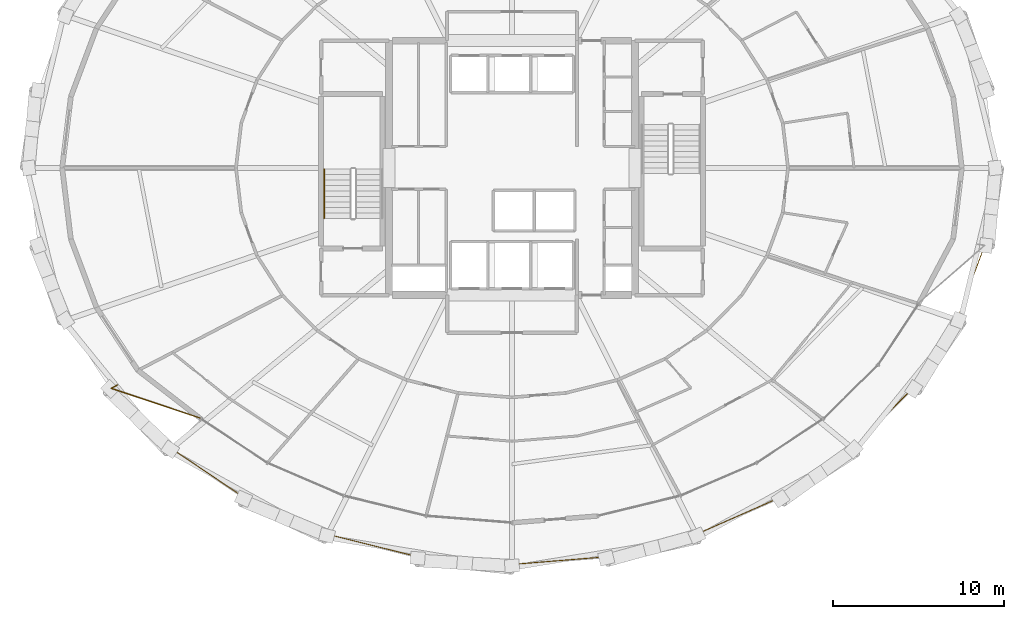
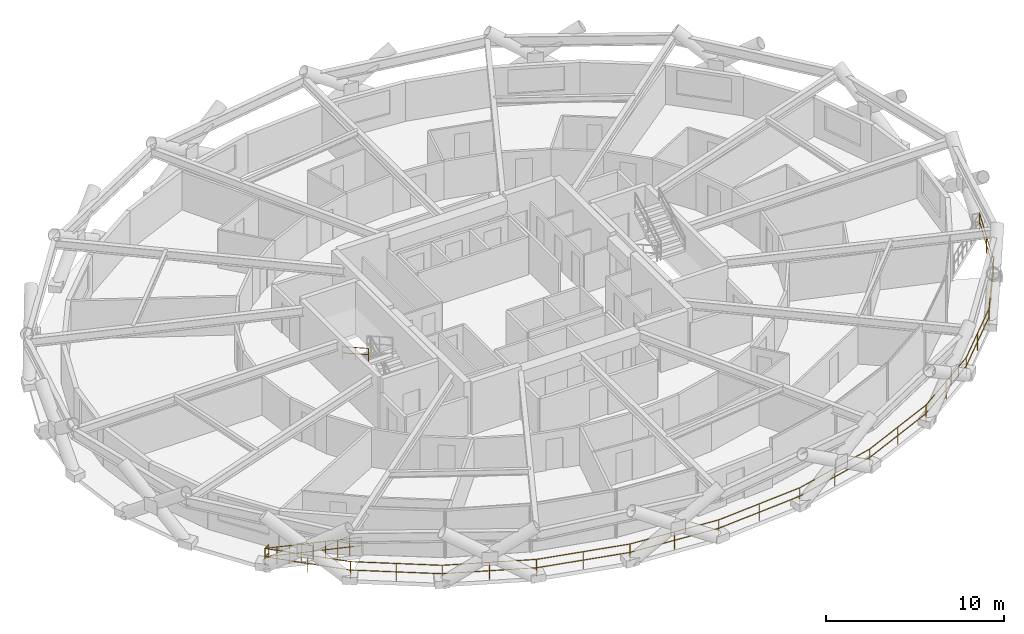
# One storey, part 19 of 20: 3 railings.
"""IFC4 building model written with IfcOpenShell, lengths in metres."""

from ifc_helpers import new_model, si_unit, direction, frame, origin, origin_2d, place, context, subcontext, project, spatial, circle, extrude, material, type_object, element, save


model = new_model("IFC4")

# Units and contexts
model_context = context("Model", 3, precision=1e-05, world=origin(), true_north=direction((0.0, 1.0)))
body_context = subcontext(model_context, "Body", "Model", "MODEL_VIEW")
ifc_project = project(units=[si_unit("LENGTHUNIT", "METRE"), si_unit("AREAUNIT", "SQUARE_METRE"), si_unit("VOLUMEUNIT", "CUBIC_METRE"), si_unit("PLANEANGLEUNIT", "RADIAN"), si_unit("MASSUNIT", "GRAM", prefix="KILO")], contexts=[model_context])

# Site, building, storey
site_placement = place(None, origin())
site = spatial("IfcSite", under=ifc_project, at=site_placement, CompositionType="ELEMENT")
building_placement = place(site_placement, origin())
building = spatial("IfcBuilding", under=site, at=building_placement, Name="Veldorina Hangang Commons", CompositionType="ELEMENT")
storey_placement = place(building_placement, frame((0.0, 0.0, 48.39990234375)))
storey = spatial("IfcBuildingStorey", under=building, at=storey_placement, Name="L11", CompositionType="ELEMENT", Elevation=48.39990234375)

# Railings
ifc_material_1 = material(Name="Glass Laminated Safety Balustrade", Category="glass")
railing_type_1 = type_object("IfcRailingType", Name="RL-BAL-LOGGIA", PredefinedType="BALUSTRADE", material=ifc_material_1)
railing_1_placement = place(storey_placement, frame((8.9091796875, 11.29736328125, 0.0)))
element("IfcRailing", 1, at=railing_1_placement, inside=storey, type_object=railing_type_1, Name="L11 sky-garden loggia end balustrade A", PredefinedType="BALUSTRADE", context=body_context, shape_type="SweptSolid", body=[
    extrude(circle(Radius=0.02392578125, at=origin_2d()), frame((0.0, 0.0, 1.17578125), z_axis=(-0.876179080009, -0.481985704928, 0.0), x_axis=(0.481985704928, -0.876179080009, 0.0)), (0.0, 0.0, 1.0), 0.419921875),
    extrude(circle(Radius=0.02392578125, at=origin_2d()), frame((0.0, 0.0, 0.60009765625), z_axis=(-0.876179080009, -0.481985704928, 0.0), x_axis=(0.481985704928, -0.876179080009, 0.0)), (0.0, 0.0, 1.0), 0.419921875),
    extrude(circle(Radius=0.02392578125, at=origin_2d()), frame((-0.367919921875, -0.202392578125, 1.17578125), z_axis=(0.948238005499, -0.317560521676, 0.0), x_axis=(0.317560521676, 0.948238005499, 0.0)), (0.0, 0.0, 1.0), 5.54931640625),
    extrude(circle(Radius=0.02392578125, at=origin_2d()), frame((-0.367919921875, -0.202392578125, 0.60009765625), z_axis=(0.948238005499, -0.317560521676, 0.0), x_axis=(0.317560521676, 0.948238005499, 0.0)), (0.0, 0.0, 1.0), 5.54931640625),
    extrude(circle(Radius=0.02099609375, at=origin_2d()), origin(), (0.0, 0.0, 1.0), 1.15185546875),
    extrude(circle(Radius=0.02099609375, at=origin_2d()), frame((-0.367919921875, -0.202392578125, 0.0)), (0.0, 0.0, 1.0), 1.15185546875),
    extrude(circle(Radius=0.02099609375, at=origin_2d()), frame((0.289794921875, -0.422607421875, 0.0)), (0.0, 0.0, 1.0), 1.15185546875),
    extrude(circle(Radius=0.02099609375, at=origin_2d()), frame((0.947509765625, -0.64306640625, 0.0)), (0.0, 0.0, 1.0), 1.15185546875),
    extrude(circle(Radius=0.02099609375, at=origin_2d()), frame((1.605224609375, -0.86328125, 0.0)), (0.0, 0.0, 1.0), 1.15185546875),
    extrude(circle(Radius=0.02099609375, at=origin_2d()), frame((2.26318359375, -1.08349609375, 0.0)), (0.0, 0.0, 1.0), 1.15185546875),
    extrude(circle(Radius=0.02099609375, at=origin_2d()), frame((2.9208984375, -1.3037109375, 0.0)), (0.0, 0.0, 1.0), 1.15185546875),
    extrude(circle(Radius=0.02099609375, at=origin_2d()), frame((3.57861328125, -1.52392578125, 0.0)), (0.0, 0.0, 1.0), 1.15185546875),
    extrude(circle(Radius=0.02099609375, at=origin_2d()), frame((4.236328125, -1.744384765625, 0.0)), (0.0, 0.0, 1.0), 1.15185546875),
    extrude(circle(Radius=0.02099609375, at=origin_2d()), frame((4.89404296875, -1.964599609375, 0.0)), (0.0, 0.0, 1.0), 1.15185546875),
])
railing_2_placement = place(storey_placement, frame((8.541259765625, 11.094970703125, 0.0)))
element("IfcRailing", 2, at=railing_2_placement, inside=storey, type_object=railing_type_1, Name="L11 sky-garden loggia outer balustrade", PredefinedType="BALUSTRADE", context=body_context, shape_type="SweptSolid", body=[
    extrude(circle(Radius=0.02392578125, at=origin_2d()), frame((0.0, 0.0, 1.17578125), z_axis=(0.706345011933, -0.707867730665, 0.0), x_axis=(0.707867730665, 0.706345011933, 0.0)), (0.0, 0.0, 1.0), 4.97021484375),
    extrude(circle(Radius=0.02392578125, at=origin_2d()), frame((0.0, 0.0, 0.60009765625), z_axis=(0.706345011933, -0.707867730665, 0.0), x_axis=(0.707867730665, 0.706345011933, 0.0)), (0.0, 0.0, 1.0), 4.97021484375),
    extrude(circle(Radius=0.02392578125, at=origin_2d()), frame((3.5107421875, -3.518310546875, 1.17578125), z_axis=(0.828906815798, -0.559386709463, 0.0), x_axis=(0.559386709463, 0.828906815798, 0.0)), (0.0, 0.0, 1.0), 5.15966796875),
    extrude(circle(Radius=0.02392578125, at=origin_2d()), frame((3.5107421875, -3.518310546875, 0.60009765625), z_axis=(0.828906815798, -0.559386709463, 0.0), x_axis=(0.559386709463, 0.828906815798, 0.0)), (0.0, 0.0, 1.0), 5.15966796875),
    extrude(circle(Radius=0.02392578125, at=origin_2d()), frame((7.78759765625, -6.404541015625, 1.17578125), z_axis=(0.915520988172, -0.402270207966, 0.0), x_axis=(0.402270207966, 0.915520988172, 0.0)), (0.0, 0.0, 1.0), 5.328125),
    extrude(circle(Radius=0.02392578125, at=origin_2d()), frame((7.78759765625, -6.404541015625, 0.60009765625), z_axis=(0.915520988172, -0.402270207966, 0.0), x_axis=(0.402270207966, 0.915520988172, 0.0)), (0.0, 0.0, 1.0), 5.328125),
    extrude(circle(Radius=0.02392578125, at=origin_2d()), frame((12.66552734375, -8.5478515625, 1.17578125), z_axis=(0.970281913928, -0.241977287167, 0.0), x_axis=(0.241977287167, 0.970281913928, 0.0)), (0.0, 0.0, 1.0), 5.453369140625),
    extrude(circle(Radius=0.02392578125, at=origin_2d()), frame((12.66552734375, -8.5478515625, 0.60009765625), z_axis=(0.970281913928, -0.241977287167, 0.0), x_axis=(0.241977287167, 0.970281913928, 0.0)), (0.0, 0.0, 1.0), 5.453369140625),
    extrude(circle(Radius=0.02392578125, at=origin_2d()), frame((17.956787109375, -9.867431640625, 1.17578125), z_axis=(0.996737035212, -0.08071730073, 0.0), x_axis=(0.08071730073, 0.996737035212, 0.0)), (0.0, 0.0, 1.0), 5.52001953125),
    extrude(circle(Radius=0.02392578125, at=origin_2d()), frame((17.956787109375, -9.867431640625, 0.60009765625), z_axis=(0.996737035212, -0.08071730073, 0.0), x_axis=(0.08071730073, 0.996737035212, 0.0)), (0.0, 0.0, 1.0), 5.52001953125),
    extrude(circle(Radius=0.02392578125, at=origin_2d()), frame((23.458740234375, -10.31298828125, 1.17578125), z_axis=(0.996737035212, 0.08071730073, 0.0), x_axis=(-0.08071730073, 0.996737035212, 0.0)), (0.0, 0.0, 1.0), 5.52001953125),
    extrude(circle(Radius=0.02392578125, at=origin_2d()), frame((23.458740234375, -10.31298828125, 0.60009765625), z_axis=(0.996737035212, 0.08071730073, 0.0), x_axis=(-0.08071730073, 0.996737035212, 0.0)), (0.0, 0.0, 1.0), 5.52001953125),
    extrude(circle(Radius=0.02392578125, at=origin_2d()), frame((28.960693359375, -9.867431640625, 1.17578125), z_axis=(0.970281913928, 0.241977287167, 0.0), x_axis=(-0.241977287167, 0.970281913928, 0.0)), (0.0, 0.0, 1.0), 5.453369140625),
    extrude(circle(Radius=0.02392578125, at=origin_2d()), frame((28.960693359375, -9.867431640625, 0.60009765625), z_axis=(0.970281913928, 0.241977287167, 0.0), x_axis=(-0.241977287167, 0.970281913928, 0.0)), (0.0, 0.0, 1.0), 5.453369140625),
    extrude(circle(Radius=0.02392578125, at=origin_2d()), frame((34.251953125, -8.5478515625, 1.17578125), z_axis=(0.915520988172, 0.402270207966, 0.0), x_axis=(-0.402270207966, 0.915520988172, 0.0)), (0.0, 0.0, 1.0), 5.328125),
    extrude(circle(Radius=0.02392578125, at=origin_2d()), frame((34.251953125, -8.5478515625, 0.60009765625), z_axis=(0.915520988172, 0.402270207966, 0.0), x_axis=(-0.402270207966, 0.915520988172, 0.0)), (0.0, 0.0, 1.0), 5.328125),
    extrude(circle(Radius=0.02392578125, at=origin_2d()), frame((39.1298828125, -6.404541015625, 1.17578125), z_axis=(0.828906815798, 0.559386709463, 0.0), x_axis=(-0.559386709463, 0.828906815798, 0.0)), (0.0, 0.0, 1.0), 5.15966796875),
    extrude(circle(Radius=0.02392578125, at=origin_2d()), frame((39.1298828125, -6.404541015625, 0.60009765625), z_axis=(0.828906815798, 0.559386709463, 0.0), x_axis=(-0.559386709463, 0.828906815798, 0.0)), (0.0, 0.0, 1.0), 5.15966796875),
    extrude(circle(Radius=0.02392578125, at=origin_2d()), frame((43.40673828125, -3.518310546875, 1.17578125), z_axis=(0.706345011933, 0.707867730665, 0.0), x_axis=(-0.707867730665, 0.706345011933, 0.0)), (0.0, 0.0, 1.0), 4.97021484375),
    extrude(circle(Radius=0.02392578125, at=origin_2d()), frame((43.40673828125, -3.518310546875, 0.60009765625), z_axis=(0.706345011933, 0.707867730665, 0.0), x_axis=(-0.707867730665, 0.706345011933, 0.0)), (0.0, 0.0, 1.0), 4.97021484375),
    extrude(circle(Radius=0.02392578125, at=origin_2d()), frame((46.91748046875, 0.0, 1.17578125), z_axis=(0.544920250254, 0.838487877589, 0.0), x_axis=(-0.838487877589, 0.544920250254, 0.0)), (0.0, 0.0, 1.0), 4.78857421875),
    extrude(circle(Radius=0.02392578125, at=origin_2d()), frame((46.91748046875, 0.0, 0.60009765625), z_axis=(0.544920250254, 0.838487877589, 0.0), x_axis=(-0.838487877589, 0.544920250254, 0.0)), (0.0, 0.0, 1.0), 4.78857421875),
    extrude(circle(Radius=0.02392578125, at=origin_2d()), frame((49.52685546875, 4.01513671875, 1.17578125), z_axis=(0.346031750302, 0.938222802847, 0.0), x_axis=(-0.938222802847, 0.346031750302, 0.0)), (0.0, 0.0, 1.0), 4.64453125),
    extrude(circle(Radius=0.02392578125, at=origin_2d()), frame((49.52685546875, 4.01513671875, 0.60009765625), z_axis=(0.346031750302, 0.938222802847, 0.0), x_axis=(-0.938222802847, 0.346031750302, 0.0)), (0.0, 0.0, 1.0), 4.64453125),
    extrude(circle(Radius=0.02099609375, at=origin_2d()), origin(), (0.0, 0.0, 1.0), 1.15185546875),
    extrude(circle(Radius=0.02099609375, at=origin_2d()), frame((1.75537109375, -1.75927734375, 0.0)), (0.0, 0.0, 1.0), 1.15185546875),
    extrude(circle(Radius=0.02099609375, at=origin_2d()), frame((3.5107421875, -3.518310546875, 0.0)), (0.0, 0.0, 1.0), 1.15185546875),
    extrude(circle(Radius=0.02099609375, at=origin_2d()), frame((5.649169921875, -4.96142578125, 0.0)), (0.0, 0.0, 1.0), 1.15185546875),
    extrude(circle(Radius=0.02099609375, at=origin_2d()), frame((7.78759765625, -6.404541015625, 0.0)), (0.0, 0.0, 1.0), 1.15185546875),
    extrude(circle(Radius=0.02099609375, at=origin_2d()), frame((10.2265625, -7.47607421875, 0.0)), (0.0, 0.0, 1.0), 1.15185546875),
    extrude(circle(Radius=0.02099609375, at=origin_2d()), frame((12.66552734375, -8.5478515625, 0.0)), (0.0, 0.0, 1.0), 1.15185546875),
    extrude(circle(Radius=0.02099609375, at=origin_2d()), frame((15.31103515625, -9.20751953125, 0.0)), (0.0, 0.0, 1.0), 1.15185546875),
    extrude(circle(Radius=0.02099609375, at=origin_2d()), frame((17.956787109375, -9.867431640625, 0.0)), (0.0, 0.0, 1.0), 1.15185546875),
    extrude(circle(Radius=0.02099609375, at=origin_2d()), frame((20.707763671875, -10.09033203125, 0.0)), (0.0, 0.0, 1.0), 1.15185546875),
    extrude(circle(Radius=0.02099609375, at=origin_2d()), frame((23.458740234375, -10.31298828125, 0.0)), (0.0, 0.0, 1.0), 1.15185546875),
    extrude(circle(Radius=0.02099609375, at=origin_2d()), frame((26.209716796875, -10.09033203125, 0.0)), (0.0, 0.0, 1.0), 1.15185546875),
    extrude(circle(Radius=0.02099609375, at=origin_2d()), frame((28.960693359375, -9.867431640625, 0.0)), (0.0, 0.0, 1.0), 1.15185546875),
    extrude(circle(Radius=0.02099609375, at=origin_2d()), frame((31.6064453125, -9.20751953125, 0.0)), (0.0, 0.0, 1.0), 1.15185546875),
    extrude(circle(Radius=0.02099609375, at=origin_2d()), frame((34.251953125, -8.5478515625, 0.0)), (0.0, 0.0, 1.0), 1.15185546875),
    extrude(circle(Radius=0.02099609375, at=origin_2d()), frame((36.69091796875, -7.47607421875, 0.0)), (0.0, 0.0, 1.0), 1.15185546875),
    extrude(circle(Radius=0.02099609375, at=origin_2d()), frame((39.1298828125, -6.404541015625, 0.0)), (0.0, 0.0, 1.0), 1.15185546875),
    extrude(circle(Radius=0.02099609375, at=origin_2d()), frame((41.268310546875, -4.96142578125, 0.0)), (0.0, 0.0, 1.0), 1.15185546875),
    extrude(circle(Radius=0.02099609375, at=origin_2d()), frame((43.40673828125, -3.518310546875, 0.0)), (0.0, 0.0, 1.0), 1.15185546875),
    extrude(circle(Radius=0.02099609375, at=origin_2d()), frame((45.162109375, -1.75927734375, 0.0)), (0.0, 0.0, 1.0), 1.15185546875),
    extrude(circle(Radius=0.02099609375, at=origin_2d()), frame((46.91748046875, 0.0, 0.0)), (0.0, 0.0, 1.0), 1.15185546875),
    extrude(circle(Radius=0.02099609375, at=origin_2d()), frame((48.22216796875, 2.007568359375, 0.0)), (0.0, 0.0, 1.0), 1.15185546875),
    extrude(circle(Radius=0.02099609375, at=origin_2d()), frame((49.52685546875, 4.01513671875, 0.0)), (0.0, 0.0, 1.0), 1.15185546875),
    extrude(circle(Radius=0.02099609375, at=origin_2d()), frame((50.33056640625, 6.19384765625, 0.0)), (0.0, 0.0, 1.0), 1.15185546875),
    extrude(circle(Radius=0.02099609375, at=origin_2d()), frame((51.134033203125, 8.372802734375, 0.0)), (0.0, 0.0, 1.0), 1.15185546875),
])
ifc_material_2 = material(Name="Stainless Steel Brushed 316", Category="steel")
railing_type_2 = type_object("IfcRailingType", Name="RL-HND-STAIR", PredefinedType="HANDRAIL", material=ifc_material_2)
railing_3_placement = place(storey_placement, frame((21.0, 23.929931640625, 1.97998046875)))
element("IfcRailing", 3, at=railing_3_placement, inside=storey, type_object=railing_type_2, Name="L11 ST-1 stair handrail 2", PredefinedType="HANDRAIL", context=body_context, shape_type="SweptSolid", body=[
    extrude(circle(Radius=0.02392578125, at=origin_2d()), frame((0.0, 0.0, 0.8759765625), z_axis=(0.0, -0.87155185771, 0.490303333991), x_axis=(1.0, 0.0, 0.0)), (0.0, 0.0, 1.0), 3.30419921875),
    extrude(circle(Radius=0.02392578125, at=origin_2d()), frame((0.0, 0.0, 0.449951171875), z_axis=(0.0, -0.87155185771, 0.490303333991), x_axis=(1.0, 0.0, 0.0)), (0.0, 0.0, 1.0), 3.30419921875),
    extrude(circle(Radius=0.02099609375, at=origin_2d()), origin(), (0.0, 0.0, 1.0), 0.851806640625),
    extrude(circle(Radius=0.02099609375, at=origin_2d()), frame((0.0, -1.43994140625, 0.81005859375)), (0.0, 0.0, 1.0), 0.851806640625),
    extrude(circle(Radius=0.02099609375, at=origin_2d()), frame((0.0, -2.8798828125, 1.6201171875)), (0.0, 0.0, 1.0), 0.851806640625),
])

save(model, "model.ifc")
